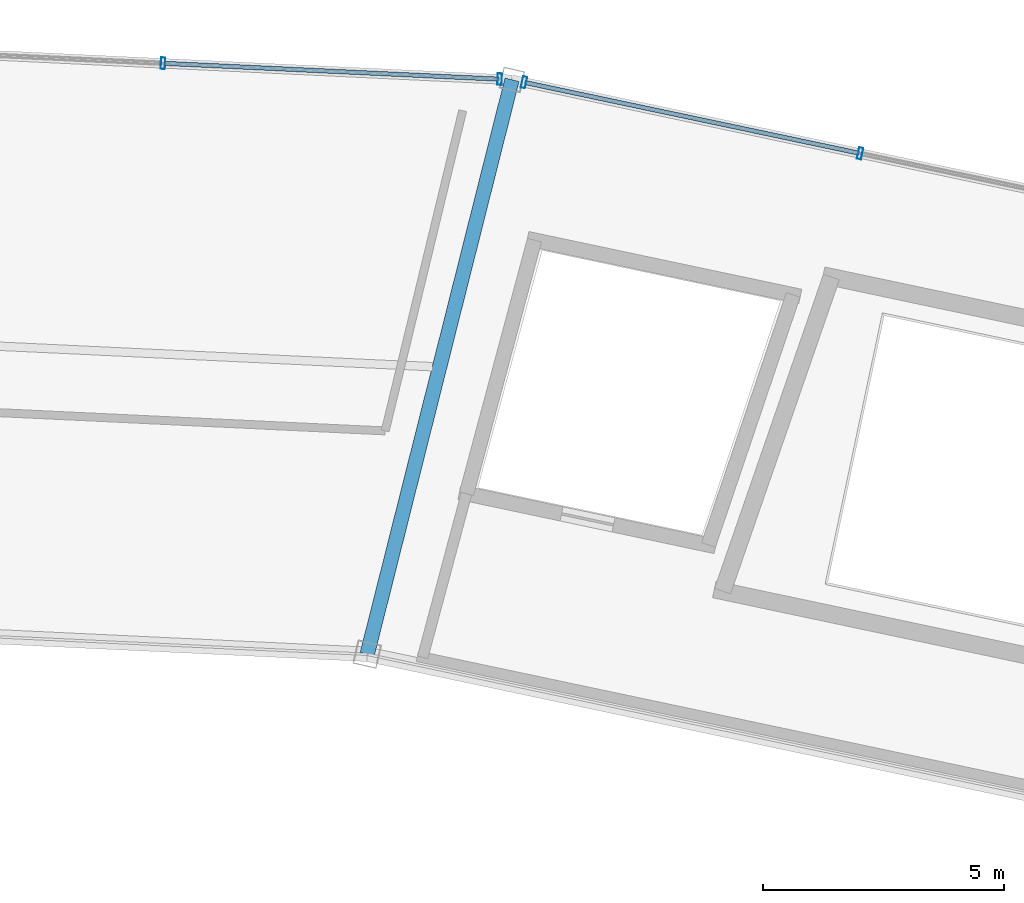
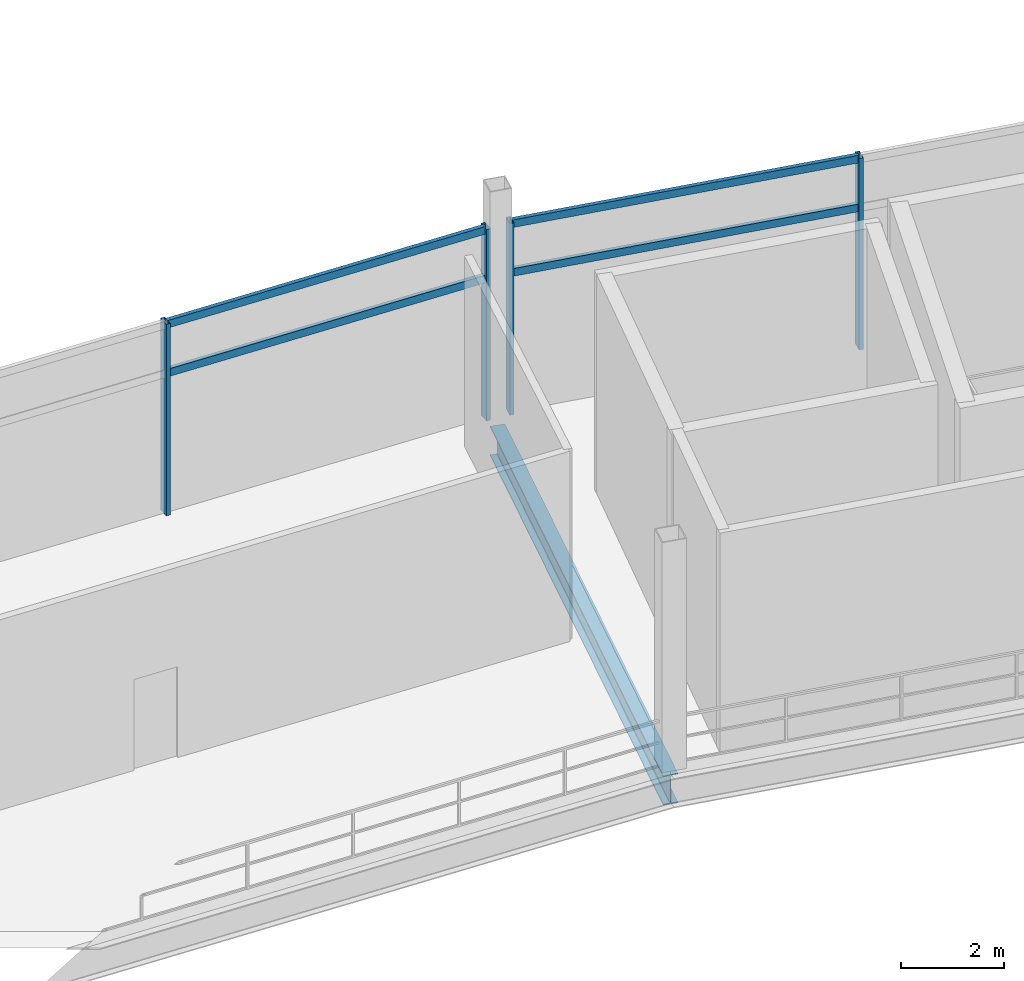
# One storey, part 62 of 103: 8 members, 1 beam, 2 elements without a shape of their own.
"""IFC4 building model written with IfcOpenShell, lengths in metres."""

from ifc_helpers import new_model, si_unit, direction, frame, origin, origin_2d, place, context, subcontext, project, spatial, hollow_rectangle, i_section, extrude, material, layer, layer_set, material_profile, profile_set, type_object, element, aggregate, save


model = new_model("IFC4")

# Units and contexts
model_context = context("Model", 3, precision=1e-05, world=origin(), true_north=direction((0.0, 1.0)))
body_context = subcontext(model_context, "Body", "Model", "MODEL_VIEW")
ifc_project = project(units=[si_unit("LENGTHUNIT", "METRE"), si_unit("AREAUNIT", "SQUARE_METRE"), si_unit("VOLUMEUNIT", "CUBIC_METRE"), si_unit("PLANEANGLEUNIT", "RADIAN"), si_unit("MASSUNIT", "GRAM", prefix="KILO")], contexts=[model_context])

# Site, building, storey
site_placement = place(None, origin())
site = spatial("IfcSite", under=ifc_project, at=site_placement, CompositionType="ELEMENT")
building_placement = place(site_placement, origin())
building = spatial("IfcBuilding", under=site, at=building_placement, Name="Kazemori Nagisa Stadium", CompositionType="ELEMENT")
storey_placement = place(building_placement, frame((0.0, 0.0, 25.840087890625)))
storey = spatial("IfcBuildingStorey", under=building, at=storey_placement, Name="L05", CompositionType="ELEMENT", Elevation=25.840087890625)

# Beam
ifc_material_1 = material(Name="Steel SN490B", Category="steel")
ifc_material_profile_1 = material_profile(ifc_material_1, i_section(OverallWidth=0.300048828125, OverallDepth=0.699951171875, WebThickness=0.012939453125, FlangeThickness=0.02392578125, FilletRadius=0.01806640625, at=origin_2d()), Name="H-700x300x13x24")
ifc_profile_set_1 = profile_set([ifc_material_profile_1], Name="Steel SN490B")
beam_type = type_object("IfcBeamType", Name="Beam_BG-H700", PredefinedType="BEAM", material=ifc_profile_set_1)
beam_placement = place(storey_placement, frame((141.427734375, 175.088623046875, -0.610107421875), z_axis=(0.244487324834, 0.969652488263, 0.0), x_axis=(-0.969652488263, 0.244487324834, 0.0)))
element("IfcBeam", 1, at=beam_placement, inside=storey, type_object=beam_type, Name="Radial girder BG-H700 L05 R2-R3-07", PredefinedType="BEAM", context=body_context, shape_type="SweptSolid", body=[
    extrude(i_section(OverallWidth=0.300048828125, OverallDepth=0.699951171875, WebThickness=0.012939453125, FlangeThickness=0.02392578125, FilletRadius=0.01806640625, at=origin_2d()), origin(), (0.0, 0.0, 1.0), 12.2705078125),
])

# Curtain wall, members
ifc_material_2 = material(Name="Anodised aluminium 6063-T5", Category="aluminium")
ifc_layer_1 = layer(ifc_material_2, 0.239990234375, Name="Anodised aluminium 6063-T5", Category="aluminium")
ifc_layer_set_1 = layer_set([ifc_layer_1], Name="Anodised aluminium 6063-T5")
curtain_wall_type_1 = type_object("IfcCurtainWallType", Name="CW_L05R3_107", PredefinedType="USERDEFINED", material=ifc_layer_set_1)
curtain_wall_1_placement = place(storey_placement, origin())
curtain_wall_1 = element("IfcCurtainWall", 2, at=curtain_wall_1_placement, inside=storey, type_object=curtain_wall_type_1, Name="Unitised curtain wall CW-L05R3-107 L05", ObjectType="UNITISED CURTAIN WALL", PredefinedType="USERDEFINED")
ifc_material_3 = material(Name="Aluminium 6063-T5 anodised", Category="aluminium")
ifc_material_profile_2 = material_profile(ifc_material_3, hollow_rectangle(XDim=0.090087890625, YDim=0.239990234375, WallThickness=0.0048828125, at=origin_2d()), Name="ALU-MULL-90x240x5")
ifc_profile_set_2 = profile_set([ifc_material_profile_2], Name="Aluminium 6063-T5 anodised")
member_type_1 = type_object("IfcMemberType", Name="Mullion_M03", PredefinedType="MULLION", material=ifc_profile_set_2)
member_1_placement = place(storey_placement, frame((151.636474609375, 185.461669921875, 0.0), z_axis=(0.0, 0.0, 1.0), x_axis=(-0.978344955407, 0.206981033502, 0.0)))
member_1 = element("IfcMember", 3, at=member_1_placement, type_object=member_type_1, Name="Curtain wall mullion CW-L05R3-107-M3", PredefinedType="MULLION", context=body_context, shape_type="SweptSolid", body=[
    extrude(hollow_rectangle(XDim=0.090087890625, YDim=0.239990234375, WallThickness=0.0048828125, at=origin_2d()), origin(), (0.0, 0.0, 1.0), 4.530029296875),
])
member_2_placement = place(storey_placement, frame((144.67724609375, 186.93408203125, 0.0), z_axis=(0.0, 0.0, 1.0), x_axis=(-0.978344955407, 0.206981033502, 0.0)))
member_2 = element("IfcMember", 4, at=member_2_placement, type_object=member_type_1, Name="Curtain wall mullion CW-L05R3-107-M4", PredefinedType="MULLION", context=body_context, shape_type="SweptSolid", body=[
    extrude(hollow_rectangle(XDim=0.090087890625, YDim=0.239990234375, WallThickness=0.0048828125, at=origin_2d()), origin(), (0.0, 0.0, 1.0), 4.530029296875),
])

ifc_layer_2 = layer(ifc_material_2, 0.239990234375, Name="Anodised aluminium 6063-T5", Category="aluminium")
ifc_layer_set_2 = layer_set([ifc_layer_2], Name="Anodised aluminium 6063-T5")
curtain_wall_type_2 = type_object("IfcCurtainWallType", Name="CW_L05R3_105", PredefinedType="USERDEFINED", material=ifc_layer_set_2)
curtain_wall_2_placement = place(storey_placement, origin())
curtain_wall_2 = element("IfcCurtainWall", 5, at=curtain_wall_2_placement, inside=storey, type_object=curtain_wall_type_2, Name="Unitised curtain wall CW-L05R3-105 L05", ObjectType="UNITISED CURTAIN WALL", PredefinedType="USERDEFINED")
member_3_placement = place(storey_placement, frame((144.1728515625, 186.998779296875, 0.0), z_axis=(0.0, 0.0, 1.0), x_axis=(-0.998884022476, 0.047230388971, 0.0)))
member_3 = element("IfcMember", 6, at=member_3_placement, type_object=member_type_1, Name="Curtain wall mullion CW-L05R3-105-M1", PredefinedType="MULLION", context=body_context, shape_type="SweptSolid", body=[
    extrude(hollow_rectangle(XDim=0.090087890625, YDim=0.239990234375, WallThickness=0.0048828125, at=origin_2d()), origin(), (0.0, 0.0, 1.0), 4.530029296875),
])
member_4_placement = place(storey_placement, frame((137.2001953125, 187.32861328125, 0.0), z_axis=(0.0, 0.0, 1.0), x_axis=(-0.998884022476, 0.047230388971, 0.0)))
member_4 = element("IfcMember", 7, at=member_4_placement, type_object=member_type_1, Name="Curtain wall mullion CW-L05R3-105-M2", PredefinedType="MULLION", context=body_context, shape_type="SweptSolid", body=[
    extrude(hollow_rectangle(XDim=0.090087890625, YDim=0.239990234375, WallThickness=0.0048828125, at=origin_2d()), origin(), (0.0, 0.0, 1.0), 4.530029296875),
])

# Member
ifc_material_profile_3 = material_profile(ifc_material_3, hollow_rectangle(XDim=0.090087890625, YDim=0.179931640625, WallThickness=0.0048828125, at=origin_2d()), Name="ALU-TRAN-90x180x5")
ifc_profile_set_3 = profile_set([ifc_material_profile_3], Name="Aluminium 6063-T5 anodised")
member_type_2 = type_object("IfcMemberType", Name="Transom_T03", PredefinedType="USERDEFINED", material=ifc_profile_set_3)
member_5_placement = place(storey_placement, frame((151.616943359375, 185.4658203125, 3.306884765625), z_axis=(-0.97834311718, 0.206989722128, 0.0), x_axis=(-0.206989722128, -0.97834311718, 0.0)))
member_5 = element("IfcMember", 8, at=member_5_placement, type_object=member_type_2, Name="Curtain wall transom CW-L05R3-107-T3-mid", ObjectType="TRANSOM", PredefinedType="USERDEFINED", context=body_context, shape_type="SweptSolid", body=[
    extrude(hollow_rectangle(XDim=0.090087890625, YDim=0.179931640625, WallThickness=0.0048828125, at=origin_2d()), origin(), (0.0, 0.0, 1.0), 7.0732421875),
])

member_6_placement = place(storey_placement, frame((151.616943359375, 185.4658203125, 4.4599609375), z_axis=(-0.97834311718, 0.206989722128, 0.0), x_axis=(-0.206989722128, -0.97834311718, 0.0)))
member_6 = element("IfcMember", 9, at=member_6_placement, type_object=member_type_2, Name="Curtain wall transom CW-L05R3-107-T3-head", ObjectType="TRANSOM", PredefinedType="USERDEFINED", context=body_context, shape_type="SweptSolid", body=[
    extrude(hollow_rectangle(XDim=0.090087890625, YDim=0.179931640625, WallThickness=0.0048828125, at=origin_2d()), origin(), (0.0, 0.0, 1.0), 7.0732421875),
])

aggregate(curtain_wall_1, [member_1, member_2, member_5, member_6])

member_7_placement = place(storey_placement, frame((144.153076171875, 186.999755859375, 3.306884765625), z_axis=(-0.998883524201, 0.047240925908, 0.0), x_axis=(-0.047240925908, -0.998883524201, 0.0)))
member_7 = element("IfcMember", 10, at=member_7_placement, type_object=member_type_2, Name="Curtain wall transom CW-L05R3-105-T1-mid", ObjectType="TRANSOM", PredefinedType="USERDEFINED", context=body_context, shape_type="SweptSolid", body=[
    extrude(hollow_rectangle(XDim=0.090087890625, YDim=0.179931640625, WallThickness=0.0048828125, at=origin_2d()), origin(), (0.0, 0.0, 1.0), 6.940673828125),
])

member_8_placement = place(storey_placement, frame((144.153076171875, 186.999755859375, 4.4599609375), z_axis=(-0.998883524201, 0.047240925908, 0.0), x_axis=(-0.047240925908, -0.998883524201, 0.0)))
member_8 = element("IfcMember", 11, at=member_8_placement, type_object=member_type_2, Name="Curtain wall transom CW-L05R3-105-T1-head", ObjectType="TRANSOM", PredefinedType="USERDEFINED", context=body_context, shape_type="SweptSolid", body=[
    extrude(hollow_rectangle(XDim=0.090087890625, YDim=0.179931640625, WallThickness=0.0048828125, at=origin_2d()), origin(), (0.0, 0.0, 1.0), 6.940673828125),
])

aggregate(curtain_wall_2, [member_3, member_4, member_7, member_8])

save(model, "model.ifc")
